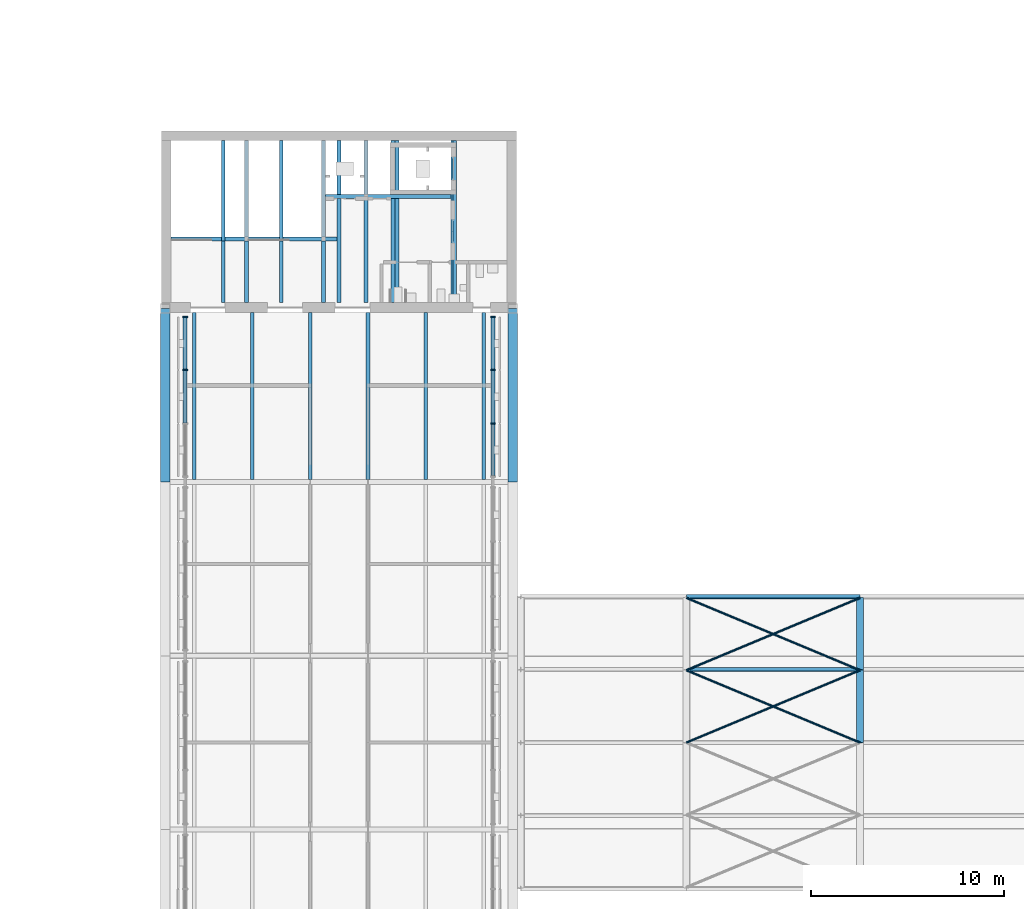
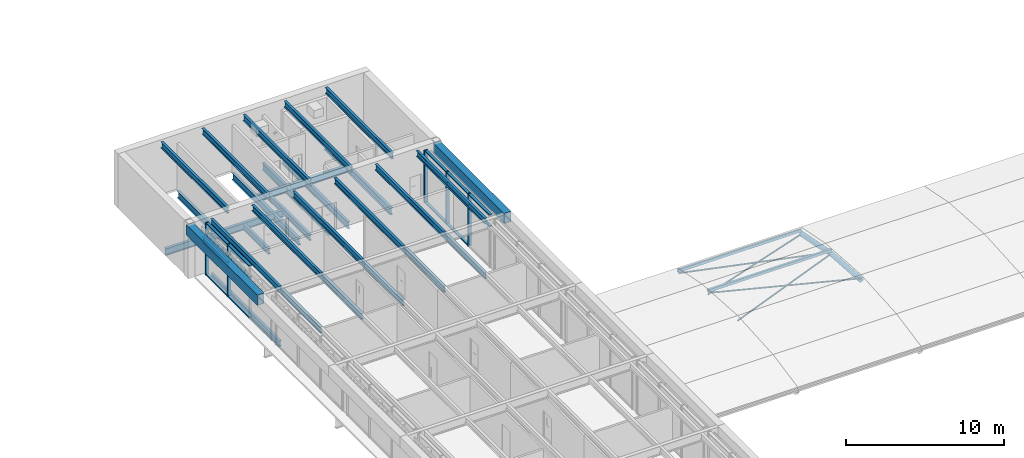
# One storey, part 7 of 43: 31 beams, 29 members, 2 elements without a shape of their own.
"""IFC4 building model written with IfcOpenShell, lengths in metres."""

from ifc_helpers import new_model, si_unit, direction, frame, origin, origin_2d, place, context, subcontext, project, spatial, rectangle, hollow_rectangle, hollow_circle, i_section, extrude, material, material_profile, profile_set, type_object, element, aggregate, save


model = new_model("IFC4")

# Units and contexts
model_context = context("Model", 3, precision=1e-05, world=origin(), true_north=direction((0.0, 1.0)))
body_context = subcontext(model_context, "Body", "Model", "MODEL_VIEW")
ifc_project = project(units=[si_unit("LENGTHUNIT", "METRE"), si_unit("AREAUNIT", "SQUARE_METRE"), si_unit("VOLUMEUNIT", "CUBIC_METRE"), si_unit("PLANEANGLEUNIT", "RADIAN"), si_unit("MASSUNIT", "GRAM", prefix="KILO")], contexts=[model_context])

# Site, building, storey
site_placement = place(None, origin())
site = spatial("IfcSite", under=ifc_project, at=site_placement, CompositionType="ELEMENT")
building_placement = place(site_placement, origin())
building = spatial("IfcBuilding", under=site, at=building_placement, Name="Baradari Gate Terminus", CompositionType="ELEMENT")
storey_placement = place(building_placement, frame((0.0, 0.0, 20.10009765625)))
storey = spatial("IfcBuildingStorey", under=building, at=storey_placement, Name="L04", CompositionType="ELEMENT", Elevation=20.10009765625)

# Beams
ifc_material_1 = material(Name="Steel S355", Category="steel")
ifc_material_profile_1 = material_profile(ifc_material_1, i_section(OverallWidth=0.19140625, OverallDepth=0.4599609375, WebThickness=0.010009765625, FlangeThickness=0.01611328125, FilletRadius=0.01025390625, at=origin_2d()), Name="UB 457x191x82")
ifc_profile_set_1 = profile_set([ifc_material_profile_1], Name="Steel S355")
beam_type_1 = type_object("IfcBeamType", Name="Core floor beam B66 UB 457x191x82", PredefinedType="BEAM", material=ifc_profile_set_1)
for number, where, z_axis, x_axis, name in (
    (1, (75.0, 81.300048828125, -0.380126953125), (0.0, 1.0, 0.0), (-1.0, 0.0, 0.0), "Core floor beam B66 75:81.3-84.495 L04"),
    (2, (78.0, 81.300048828125, -0.380126953125), (0.0, 1.0, 0.0), (-1.0, 0.0, 0.0), "Core floor beam B66 78:81.3-84.495 L04"),
):
    element("IfcBeam", number, at=place(storey_placement, frame(where, z_axis=z_axis, x_axis=x_axis)), inside=storey, type_object=beam_type_1, Name=name, PredefinedType="BEAM", context=body_context, shape_type="SweptSolid", body=[
        extrude(i_section(OverallWidth=0.19140625, OverallDepth=0.4599609375, WebThickness=0.010009765625, FlangeThickness=0.01611328125, FilletRadius=0.01025390625, at=origin_2d()), origin(), (0.0, 0.0, 1.0), 3.1953125),
    ])
beam_1_placement = place(storey_placement, frame((81.0, 81.300048828125, -0.380126953125), z_axis=(0.0, 1.0, 0.0), x_axis=(-1.0, 0.0, 0.0)))
element("IfcBeam", 3, at=beam_1_placement, inside=storey, type_object=beam_type_1, Name="Core floor beam B66 10:81.3-86.695 L04", PredefinedType="BEAM", context=body_context, shape_type="SweptSolid", body=[
    extrude(i_section(OverallWidth=0.19140625, OverallDepth=0.4599609375, WebThickness=0.010009765625, FlangeThickness=0.01611328125, FilletRadius=0.01025390625, at=origin_2d()), origin(), (0.0, 0.0, 1.0), 5.395263671875),
])
for number, where, z_axis, x_axis, name in (
    (4, (75.0, 81.300048828125, 3.81982421875), (0.0, 1.0, 0.0), (-1.0, 0.0, 0.0), "Core floor beam B66 75:81.3-89.7 L04"),
    (5, (78.0, 81.300048828125, 3.81982421875), (0.0, 1.0, 0.0), (-1.0, 0.0, 0.0), "Core floor beam B66 78:81.3-89.7 L04"),
    (6, (81.0, 81.300048828125, 3.81982421875), (0.0, 1.0, 0.0), (-1.0, 0.0, 0.0), "Core floor beam B66 10:81.3-89.7 L04"),
    (7, (84.0, 81.300048828125, 3.81982421875), (0.0, 1.0, 0.0), (-1.0, 0.0, 0.0), "Core floor beam B66 84:81.3-89.7 L04"),
    (8, (87.0, 81.300048828125, 3.81982421875), (0.0, 1.0, 0.0), (-1.0, 0.0, 0.0), "Core floor beam B66 87:81.3-89.7 L04"),
):
    element("IfcBeam", number, at=place(storey_placement, frame(where, z_axis=z_axis, x_axis=x_axis)), inside=storey, type_object=beam_type_1, Name=name, PredefinedType="BEAM", context=body_context, shape_type="SweptSolid", body=[
        extrude(i_section(OverallWidth=0.19140625, OverallDepth=0.4599609375, WebThickness=0.010009765625, FlangeThickness=0.01611328125, FilletRadius=0.01025390625, at=origin_2d()), origin(), (0.0, 0.0, 1.0), 8.39990234375),
    ])
ifc_material_2 = material(Name="Steel S355", Category="steel")
ifc_material_profile_2 = material_profile(ifc_material_2, i_section(OverallWidth=0.209228515625, OverallDepth=0.533203125, WebThickness=0.010009765625, FlangeThickness=0.015625, FilletRadius=0.0126953125, at=origin_2d()), Name="UB 533x210x92")
ifc_profile_set_2 = profile_set([ifc_material_profile_2], Name="Steel S355")
beam_type_2 = type_object("IfcBeamType", Name="Core floor trimmer beam B65 UB 533x210x92", PredefinedType="BEAM", material=ifc_profile_set_2)
beam_2_placement = place(storey_placement, frame((72.300048828125, 84.60009765625, -0.416748046875), z_axis=(1.0, 0.0, 0.0), x_axis=(0.0, 1.0, 0.0)))
element("IfcBeam", 9, at=beam_2_placement, inside=storey, type_object=beam_type_2, Name="Core floor trimmer beam B65 84.6:72.3-80.904 L04", PredefinedType="BEAM", context=body_context, shape_type="SweptSolid", body=[
    extrude(i_section(OverallWidth=0.209228515625, OverallDepth=0.533203125, WebThickness=0.010009765625, FlangeThickness=0.015625, FilletRadius=0.0126953125, at=origin_2d()), origin(), (0.0, 0.0, 1.0), 8.604248046875),
])
beam_3_placement = place(storey_placement, frame((80.3046875, 86.800048828125, -0.416748046875), z_axis=(1.0, 0.0, 0.0), x_axis=(0.0, 1.0, 0.0)))
element("IfcBeam", 10, at=beam_3_placement, inside=storey, type_object=beam_type_2, Name="Core floor trimmer beam B65 86.8:80.305-86.8 L04", PredefinedType="BEAM", context=body_context, shape_type="SweptSolid", body=[
    extrude(i_section(OverallWidth=0.209228515625, OverallDepth=0.533203125, WebThickness=0.010009765625, FlangeThickness=0.015625, FilletRadius=0.0126953125, at=origin_2d()), origin(), (0.0, 0.0, 1.0), 6.49560546875),
])
beam_4_placement = place(storey_placement, frame((86.905029296875, 81.300048828125, -0.416748046875), z_axis=(0.0, 1.0, 0.0), x_axis=(-1.0, 0.0, 0.0)))
element("IfcBeam", 11, at=beam_4_placement, inside=storey, type_object=beam_type_2, Name="Core floor trimmer beam B65 86.905:81.3-89.7 L04", PredefinedType="BEAM", context=body_context, shape_type="SweptSolid", body=[
    extrude(i_section(OverallWidth=0.209228515625, OverallDepth=0.533203125, WebThickness=0.010009765625, FlangeThickness=0.015625, FilletRadius=0.0126953125, at=origin_2d()), origin(), (0.0, 0.0, 1.0), 8.39990234375),
])
beam_5_placement = place(storey_placement, frame((76.199951171875, 81.300048828125, -0.416748046875), z_axis=(0.0, 1.0, 0.0), x_axis=(-1.0, 0.0, 0.0)))
element("IfcBeam", 12, at=beam_5_placement, inside=storey, type_object=beam_type_2, Name="Core floor trimmer beam B65 76.2:81.3-84.495 L04", PredefinedType="BEAM", context=body_context, shape_type="SweptSolid", body=[
    extrude(i_section(OverallWidth=0.209228515625, OverallDepth=0.533203125, WebThickness=0.010009765625, FlangeThickness=0.015625, FilletRadius=0.0126953125, at=origin_2d()), origin(), (0.0, 0.0, 1.0), 3.1953125),
])
beam_6_placement = place(storey_placement, frame((76.199951171875, 84.70458984375, -0.416748046875), z_axis=(0.0, 1.0, 0.0), x_axis=(-1.0, 0.0, 0.0)))
element("IfcBeam", 13, at=beam_6_placement, inside=storey, type_object=beam_type_2, Name="Core floor trimmer beam B65 76.2:84.705-89.7 L04", PredefinedType="BEAM", context=body_context, shape_type="SweptSolid", body=[
    extrude(i_section(OverallWidth=0.209228515625, OverallDepth=0.533203125, WebThickness=0.010009765625, FlangeThickness=0.015625, FilletRadius=0.0126953125, at=origin_2d()), origin(), (0.0, 0.0, 1.0), 4.995361328125),
])
beam_7_placement = place(storey_placement, frame((80.199951171875, 81.300048828125, -0.416748046875), z_axis=(0.0, 1.0, 0.0), x_axis=(-1.0, 0.0, 0.0)))
element("IfcBeam", 14, at=beam_7_placement, inside=storey, type_object=beam_type_2, Name="Core floor trimmer beam B65 80.2:81.3-84.495 L04", PredefinedType="BEAM", context=body_context, shape_type="SweptSolid", body=[
    extrude(i_section(OverallWidth=0.209228515625, OverallDepth=0.533203125, WebThickness=0.010009765625, FlangeThickness=0.015625, FilletRadius=0.0126953125, at=origin_2d()), origin(), (0.0, 0.0, 1.0), 3.1953125),
])
beam_8_placement = place(storey_placement, frame((80.199951171875, 84.70458984375, -0.416748046875), z_axis=(0.0, 1.0, 0.0), x_axis=(-1.0, 0.0, 0.0)))
element("IfcBeam", 15, at=beam_8_placement, inside=storey, type_object=beam_type_2, Name="Core floor trimmer beam B65 80.2:84.705-89.7 L04", PredefinedType="BEAM", context=body_context, shape_type="SweptSolid", body=[
    extrude(i_section(OverallWidth=0.209228515625, OverallDepth=0.533203125, WebThickness=0.010009765625, FlangeThickness=0.015625, FilletRadius=0.0126953125, at=origin_2d()), origin(), (0.0, 0.0, 1.0), 4.995361328125),
])
beam_9_placement = place(storey_placement, frame((82.39990234375, 81.300048828125, -0.416748046875), z_axis=(0.0, 1.0, 0.0), x_axis=(-1.0, 0.0, 0.0)))
element("IfcBeam", 16, at=beam_9_placement, inside=storey, type_object=beam_type_2, Name="Core floor trimmer beam B65 82.4:81.3-86.695 L04", PredefinedType="BEAM", context=body_context, shape_type="SweptSolid", body=[
    extrude(i_section(OverallWidth=0.209228515625, OverallDepth=0.533203125, WebThickness=0.010009765625, FlangeThickness=0.015625, FilletRadius=0.0126953125, at=origin_2d()), origin(), (0.0, 0.0, 1.0), 5.395263671875),
])
beam_10_placement = place(storey_placement, frame((82.39990234375, 86.90478515625, -0.416748046875), z_axis=(0.0, 1.0, 0.0), x_axis=(-1.0, 0.0, 0.0)))
element("IfcBeam", 17, at=beam_10_placement, inside=storey, type_object=beam_type_2, Name="Core floor trimmer beam B65 82.4:86.905-89.7 L04", PredefinedType="BEAM", context=body_context, shape_type="SweptSolid", body=[
    extrude(i_section(OverallWidth=0.209228515625, OverallDepth=0.533203125, WebThickness=0.010009765625, FlangeThickness=0.015625, FilletRadius=0.0126953125, at=origin_2d()), origin(), (0.0, 0.0, 1.0), 2.795166015625),
])
beam_11_placement = place(storey_placement, frame((83.800048828125, 81.300048828125, -0.416748046875), z_axis=(0.0, 1.0, 0.0), x_axis=(-1.0, 0.0, 0.0)))
element("IfcBeam", 18, at=beam_11_placement, inside=storey, type_object=beam_type_2, Name="Core floor trimmer beam B65 83.8:81.3-86.695 L04", PredefinedType="BEAM", context=body_context, shape_type="SweptSolid", body=[
    extrude(i_section(OverallWidth=0.209228515625, OverallDepth=0.533203125, WebThickness=0.010009765625, FlangeThickness=0.015625, FilletRadius=0.0126953125, at=origin_2d()), origin(), (0.0, 0.0, 1.0), 5.395263671875),
])
beam_12_placement = place(storey_placement, frame((83.800048828125, 86.90478515625, -0.416748046875), z_axis=(0.0, 1.0, 0.0), x_axis=(-1.0, 0.0, 0.0)))
element("IfcBeam", 19, at=beam_12_placement, inside=storey, type_object=beam_type_2, Name="Core floor trimmer beam B65 83.8:86.905-89.7 L04", PredefinedType="BEAM", context=body_context, shape_type="SweptSolid", body=[
    extrude(i_section(OverallWidth=0.209228515625, OverallDepth=0.533203125, WebThickness=0.010009765625, FlangeThickness=0.015625, FilletRadius=0.0126953125, at=origin_2d()), origin(), (0.0, 0.0, 1.0), 2.795166015625),
])

# Curtain wall, members
ifc_material_3 = material(Name="Aluminium 6063-T6", Category="aluminium")
curtain_wall_type = type_object("IfcCurtainWallType", Name="Curtain wall CW-3 gate face, office floors", PredefinedType="NOTDEFINED", material=ifc_material_3)
curtain_wall_1_placement = place(storey_placement, origin())
curtain_wall_1 = element("IfcCurtainWall", 20, at=curtain_wall_1_placement, inside=storey, type_object=curtain_wall_type, Name="Curtain wall CW-3 gate west face L04 bay 5", PredefinedType="NOTDEFINED")
ifc_material_4 = material(Name="Aluminium 6063-T6", Category="aluminium")
ifc_material_profile_3 = material_profile(ifc_material_4, rectangle(XDim=0.25, YDim=0.080078125, at=origin_2d()), Name="CM-3 80X250")
ifc_profile_set_3 = profile_set([ifc_material_profile_3], Name="Aluminium 6063-T6")
member_type_1 = type_object("IfcMemberType", Name="Curtain wall mullion CM-3 80x250", PredefinedType="MULLION", material=ifc_profile_set_3)
member_1_placement = place(storey_placement, frame((73.02490234375, 77.816650390625, 0.0), z_axis=(0.0, 0.0, 1.0), x_axis=(-1.0, 0.0, 0.0)))
member_1 = element("IfcMember", 21, at=member_1_placement, type_object=member_type_1, Name="CW-3 mullion 3", PredefinedType="MULLION", context=body_context, shape_type="SweptSolid", body=[
    extrude(rectangle(XDim=0.25, YDim=0.080078125, at=origin_2d()), origin(), (0.0, 0.0, 1.0), 4.0498046875),
])
member_2_placement = place(storey_placement, frame((73.02490234375, 80.56005859375, 0.0), z_axis=(0.0, 0.0, 1.0), x_axis=(-1.0, 0.0, 0.0)))
member_2 = element("IfcMember", 22, at=member_2_placement, type_object=member_type_1, Name="CW-3 mullion 4", PredefinedType="MULLION", context=body_context, shape_type="SweptSolid", body=[
    extrude(rectangle(XDim=0.25, YDim=0.080078125, at=origin_2d()), origin(), (0.0, 0.0, 1.0), 4.0498046875),
])

curtain_wall_2_placement = place(storey_placement, origin())
curtain_wall_2 = element("IfcCurtainWall", 23, at=curtain_wall_2_placement, inside=storey, type_object=curtain_wall_type, Name="Curtain wall CW-3 gate east face L04 bay 5", PredefinedType="NOTDEFINED")
member_3_placement = place(storey_placement, frame((88.97509765625, 75.033447265625, 0.0), z_axis=(0.0, 0.0, 1.0), x_axis=(-1.0, 0.0, 0.0)))
member_3 = element("IfcMember", 24, at=member_3_placement, type_object=member_type_1, Name="CW-3 mullion 2", PredefinedType="MULLION", context=body_context, shape_type="SweptSolid", body=[
    extrude(rectangle(XDim=0.25, YDim=0.080078125, at=origin_2d()), origin(), (0.0, 0.0, 1.0), 4.0498046875),
])
member_4_placement = place(storey_placement, frame((88.97509765625, 77.816650390625, 0.0), z_axis=(0.0, 0.0, 1.0), x_axis=(-1.0, 0.0, 0.0)))
member_4 = element("IfcMember", 25, at=member_4_placement, type_object=member_type_1, Name="CW-3 mullion 3", PredefinedType="MULLION", context=body_context, shape_type="SweptSolid", body=[
    extrude(rectangle(XDim=0.25, YDim=0.080078125, at=origin_2d()), origin(), (0.0, 0.0, 1.0), 4.0498046875),
])
member_5_placement = place(storey_placement, frame((88.97509765625, 80.56005859375, 0.0), z_axis=(0.0, 0.0, 1.0), x_axis=(-1.0, 0.0, 0.0)))
member_5 = element("IfcMember", 26, at=member_5_placement, type_object=member_type_1, Name="CW-3 mullion 4", PredefinedType="MULLION", context=body_context, shape_type="SweptSolid", body=[
    extrude(rectangle(XDim=0.25, YDim=0.080078125, at=origin_2d()), origin(), (0.0, 0.0, 1.0), 4.0498046875),
])

# Member
ifc_material_5 = material(Name="Aluminium 6063-T6", Category="aluminium")
ifc_material_profile_4 = material_profile(ifc_material_5, rectangle(XDim=0.199951171875, YDim=0.080078125, at=origin_2d()), Name="CT-3 80X200")
ifc_profile_set_4 = profile_set([ifc_material_profile_4], Name="Aluminium 6063-T6")
member_type_2 = type_object("IfcMemberType", Name="Curtain wall transom CT-3 80x200", PredefinedType="USERDEFINED", material=ifc_profile_set_4)
member_6_placement = place(storey_placement, frame((73.02490234375, 75.0732421875, 0.039794921875), z_axis=(0.0, 1.0, 0.0), x_axis=(-1.0, 0.0, 0.0)))
member_6 = element("IfcMember", 27, at=member_6_placement, type_object=member_type_2, Name="CW-3 transom 2.1", ObjectType="TRANSOM", PredefinedType="USERDEFINED", context=body_context, shape_type="SweptSolid", body=[
    extrude(rectangle(XDim=0.199951171875, YDim=0.080078125, at=origin_2d()), origin(), (0.0, 0.0, 1.0), 2.703369140625),
])

member_7_placement = place(storey_placement, frame((73.02490234375, 75.0732421875, 3.14990234375), z_axis=(0.0, 1.0, 0.0), x_axis=(-1.0, 0.0, 0.0)))
member_7 = element("IfcMember", 28, at=member_7_placement, type_object=member_type_2, Name="CW-3 transom 2.2", ObjectType="TRANSOM", PredefinedType="USERDEFINED", context=body_context, shape_type="SweptSolid", body=[
    extrude(rectangle(XDim=0.199951171875, YDim=0.080078125, at=origin_2d()), origin(), (0.0, 0.0, 1.0), 2.703369140625),
])

member_8_placement = place(storey_placement, frame((73.02490234375, 75.0732421875, 4.010009765625), z_axis=(0.0, 1.0, 0.0), x_axis=(-1.0, 0.0, 0.0)))
member_8 = element("IfcMember", 29, at=member_8_placement, type_object=member_type_2, Name="CW-3 transom 2.3", ObjectType="TRANSOM", PredefinedType="USERDEFINED", context=body_context, shape_type="SweptSolid", body=[
    extrude(rectangle(XDim=0.199951171875, YDim=0.080078125, at=origin_2d()), origin(), (0.0, 0.0, 1.0), 2.703369140625),
])

member_9_placement = place(storey_placement, frame((73.02490234375, 77.856689453125, 0.039794921875), z_axis=(0.0, 1.0, 0.0), x_axis=(-1.0, 0.0, 0.0)))
member_9 = element("IfcMember", 30, at=member_9_placement, type_object=member_type_2, Name="CW-3 transom 3.1", ObjectType="TRANSOM", PredefinedType="USERDEFINED", context=body_context, shape_type="SweptSolid", body=[
    extrude(rectangle(XDim=0.199951171875, YDim=0.080078125, at=origin_2d()), origin(), (0.0, 0.0, 1.0), 2.663330078125),
])

member_10_placement = place(storey_placement, frame((73.02490234375, 77.856689453125, 3.14990234375), z_axis=(0.0, 1.0, 0.0), x_axis=(-1.0, 0.0, 0.0)))
member_10 = element("IfcMember", 31, at=member_10_placement, type_object=member_type_2, Name="CW-3 transom 3.2", ObjectType="TRANSOM", PredefinedType="USERDEFINED", context=body_context, shape_type="SweptSolid", body=[
    extrude(rectangle(XDim=0.199951171875, YDim=0.080078125, at=origin_2d()), origin(), (0.0, 0.0, 1.0), 2.663330078125),
])

member_11_placement = place(storey_placement, frame((73.02490234375, 77.856689453125, 4.010009765625), z_axis=(0.0, 1.0, 0.0), x_axis=(-1.0, 0.0, 0.0)))
member_11 = element("IfcMember", 32, at=member_11_placement, type_object=member_type_2, Name="CW-3 transom 3.3", ObjectType="TRANSOM", PredefinedType="USERDEFINED", context=body_context, shape_type="SweptSolid", body=[
    extrude(rectangle(XDim=0.199951171875, YDim=0.080078125, at=origin_2d()), origin(), (0.0, 0.0, 1.0), 2.663330078125),
])

aggregate(curtain_wall_1, [member_1, member_2, member_6, member_7, member_8, member_9, member_10, member_11])

member_12_placement = place(storey_placement, frame((88.97509765625, 72.330078125, 3.14990234375), z_axis=(0.0, 1.0, 0.0), x_axis=(-1.0, 0.0, 0.0)))
member_12 = element("IfcMember", 33, at=member_12_placement, type_object=member_type_2, Name="CW-3 transom 1.2", ObjectType="TRANSOM", PredefinedType="USERDEFINED", context=body_context, shape_type="SweptSolid", body=[
    extrude(rectangle(XDim=0.199951171875, YDim=0.080078125, at=origin_2d()), origin(), (0.0, 0.0, 1.0), 2.663330078125),
])

member_13_placement = place(storey_placement, frame((88.97509765625, 72.330078125, 4.010009765625), z_axis=(0.0, 1.0, 0.0), x_axis=(-1.0, 0.0, 0.0)))
member_13 = element("IfcMember", 34, at=member_13_placement, type_object=member_type_2, Name="CW-3 transom 1.3", ObjectType="TRANSOM", PredefinedType="USERDEFINED", context=body_context, shape_type="SweptSolid", body=[
    extrude(rectangle(XDim=0.199951171875, YDim=0.080078125, at=origin_2d()), origin(), (0.0, 0.0, 1.0), 2.663330078125),
])

member_14_placement = place(storey_placement, frame((88.97509765625, 75.0732421875, 0.039794921875), z_axis=(0.0, 1.0, 0.0), x_axis=(-1.0, 0.0, 0.0)))
member_14 = element("IfcMember", 35, at=member_14_placement, type_object=member_type_2, Name="CW-3 transom 2.1", ObjectType="TRANSOM", PredefinedType="USERDEFINED", context=body_context, shape_type="SweptSolid", body=[
    extrude(rectangle(XDim=0.199951171875, YDim=0.080078125, at=origin_2d()), origin(), (0.0, 0.0, 1.0), 2.703369140625),
])

member_15_placement = place(storey_placement, frame((88.97509765625, 75.0732421875, 3.14990234375), z_axis=(0.0, 1.0, 0.0), x_axis=(-1.0, 0.0, 0.0)))
member_15 = element("IfcMember", 36, at=member_15_placement, type_object=member_type_2, Name="CW-3 transom 2.2", ObjectType="TRANSOM", PredefinedType="USERDEFINED", context=body_context, shape_type="SweptSolid", body=[
    extrude(rectangle(XDim=0.199951171875, YDim=0.080078125, at=origin_2d()), origin(), (0.0, 0.0, 1.0), 2.703369140625),
])

member_16_placement = place(storey_placement, frame((88.97509765625, 75.0732421875, 4.010009765625), z_axis=(0.0, 1.0, 0.0), x_axis=(-1.0, 0.0, 0.0)))
member_16 = element("IfcMember", 37, at=member_16_placement, type_object=member_type_2, Name="CW-3 transom 2.3", ObjectType="TRANSOM", PredefinedType="USERDEFINED", context=body_context, shape_type="SweptSolid", body=[
    extrude(rectangle(XDim=0.199951171875, YDim=0.080078125, at=origin_2d()), origin(), (0.0, 0.0, 1.0), 2.703369140625),
])

member_17_placement = place(storey_placement, frame((88.97509765625, 77.856689453125, 0.039794921875), z_axis=(0.0, 1.0, 0.0), x_axis=(-1.0, 0.0, 0.0)))
member_17 = element("IfcMember", 38, at=member_17_placement, type_object=member_type_2, Name="CW-3 transom 3.1", ObjectType="TRANSOM", PredefinedType="USERDEFINED", context=body_context, shape_type="SweptSolid", body=[
    extrude(rectangle(XDim=0.199951171875, YDim=0.080078125, at=origin_2d()), origin(), (0.0, 0.0, 1.0), 2.663330078125),
])

member_18_placement = place(storey_placement, frame((88.97509765625, 77.856689453125, 3.14990234375), z_axis=(0.0, 1.0, 0.0), x_axis=(-1.0, 0.0, 0.0)))
member_18 = element("IfcMember", 39, at=member_18_placement, type_object=member_type_2, Name="CW-3 transom 3.2", ObjectType="TRANSOM", PredefinedType="USERDEFINED", context=body_context, shape_type="SweptSolid", body=[
    extrude(rectangle(XDim=0.199951171875, YDim=0.080078125, at=origin_2d()), origin(), (0.0, 0.0, 1.0), 2.663330078125),
])

member_19_placement = place(storey_placement, frame((88.97509765625, 77.856689453125, 4.010009765625), z_axis=(0.0, 1.0, 0.0), x_axis=(-1.0, 0.0, 0.0)))
member_19 = element("IfcMember", 40, at=member_19_placement, type_object=member_type_2, Name="CW-3 transom 3.3", ObjectType="TRANSOM", PredefinedType="USERDEFINED", context=body_context, shape_type="SweptSolid", body=[
    extrude(rectangle(XDim=0.199951171875, YDim=0.080078125, at=origin_2d()), origin(), (0.0, 0.0, 1.0), 2.663330078125),
])

aggregate(curtain_wall_2, [member_3, member_4, member_5, member_12, member_13, member_14, member_15, member_16, member_17, member_18, member_19])

# Beams
ifc_material_6 = material(Name="Steel S355", Category="steel")
ifc_material_profile_5 = material_profile(ifc_material_6, i_section(OverallWidth=0.18994140625, OverallDepth=0.453369140625, WebThickness=0.008544921875, FlangeThickness=0.0126953125, FilletRadius=0.01025390625, at=origin_2d()), Name="UB 457x191x67")
ifc_profile_set_5 = profile_set([ifc_material_profile_5], Name="Steel S355")
beam_type_3 = type_object("IfcBeamType", Name="Gate roof secondary beam B57 UB 457x191x67", PredefinedType="BEAM", material=ifc_profile_set_5)
for number, where, z_axis, x_axis, name in (
    (41, (73.5, 72.127197265625, 3.8232421875), (0.0, 1.0, 0.0), (-1.0, 0.0, 0.0), "Gate roof secondary beam B57 73.5:72.127-80.8 L04"),
    (42, (76.5, 72.127197265625, 3.8232421875), (0.0, 1.0, 0.0), (-1.0, 0.0, 0.0), "Gate roof secondary beam B57 76.5:72.127-80.8 L04"),
    (43, (79.5, 72.127197265625, 3.8232421875), (0.0, 1.0, 0.0), (-1.0, 0.0, 0.0), "Gate roof secondary beam B57 79.5:72.127-80.8 L04"),
    (44, (82.5, 72.127197265625, 3.8232421875), (0.0, 1.0, 0.0), (-1.0, 0.0, 0.0), "Gate roof secondary beam B57 82.5:72.127-80.8 L04"),
    (45, (85.5, 72.127197265625, 3.8232421875), (0.0, 1.0, 0.0), (-1.0, 0.0, 0.0), "Gate roof secondary beam B57 85.5:72.127-80.8 L04"),
    (46, (88.5, 72.127197265625, 3.8232421875), (0.0, 1.0, 0.0), (-1.0, 0.0, 0.0), "Gate roof secondary beam B57 88.5:72.127-80.8 L04"),
):
    element("IfcBeam", number, at=place(storey_placement, frame(where, z_axis=z_axis, x_axis=x_axis)), inside=storey, type_object=beam_type_3, Name=name, PredefinedType="BEAM", context=body_context, shape_type="SweptSolid", body=[
        extrude(i_section(OverallWidth=0.18994140625, OverallDepth=0.453369140625, WebThickness=0.008544921875, FlangeThickness=0.0126953125, FilletRadius=0.01025390625, at=origin_2d()), origin(), (0.0, 0.0, 1.0), 8.6728515625),
    ])
ifc_material_7 = material(Name="Steel S355", Category="steel")
ifc_material_profile_6 = material_profile(ifc_material_7, i_section(OverallWidth=0.19140625, OverallDepth=0.4599609375, WebThickness=0.010009765625, FlangeThickness=0.01611328125, FilletRadius=0.01025390625, at=origin_2d()), Name="UB 457x191x82")
ifc_profile_set_6 = profile_set([ifc_material_profile_6], Name="Steel S355")
beam_type_4 = type_object("IfcBeamType", Name="Gate secondary beam B31 UB 457x191x82", PredefinedType="BEAM", material=ifc_profile_set_6)
for number, where, z_axis, x_axis, name in (
    (47, (73.5, 72.13330078125, -0.380126953125), (0.0, 1.0, 0.0), (-1.0, 0.0, 0.0), "Gate secondary beam B31 73.5:72.133-80.8 L04"),
    (48, (76.5, 72.13330078125, -0.380126953125), (0.0, 1.0, 0.0), (-1.0, 0.0, 0.0), "Gate secondary beam B31 76.5:72.133-80.8 L04"),
    (49, (79.5, 72.13330078125, -0.380126953125), (0.0, 1.0, 0.0), (-1.0, 0.0, 0.0), "Gate secondary beam B31 79.5:72.133-80.8 L04"),
    (50, (82.5, 72.13330078125, -0.380126953125), (0.0, 1.0, 0.0), (-1.0, 0.0, 0.0), "Gate secondary beam B31 82.5:72.133-80.8 L04"),
    (51, (85.5, 72.13330078125, -0.380126953125), (0.0, 1.0, 0.0), (-1.0, 0.0, 0.0), "Gate secondary beam B31 85.5:72.133-80.8 L04"),
    (52, (88.5, 72.13330078125, -0.380126953125), (0.0, 1.0, 0.0), (-1.0, 0.0, 0.0), "Gate secondary beam B31 88.5:72.133-80.8 L04"),
):
    element("IfcBeam", number, at=place(storey_placement, frame(where, z_axis=z_axis, x_axis=x_axis)), inside=storey, type_object=beam_type_4, Name=name, PredefinedType="BEAM", context=body_context, shape_type="SweptSolid", body=[
        extrude(i_section(OverallWidth=0.19140625, OverallDepth=0.4599609375, WebThickness=0.010009765625, FlangeThickness=0.01611328125, FilletRadius=0.01025390625, at=origin_2d()), origin(), (0.0, 0.0, 1.0), 8.666748046875),
    ])

# Members
ifc_material_8 = material(Name="Steel S355", Category="steel")
ifc_material_profile_7 = material_profile(ifc_material_8, hollow_rectangle(XDim=0.199951171875, YDim=0.199951171875, WallThickness=0.008056640625, InnerFilletRadius=0.008056640625, OuterFilletRadius=0.01611328125, at=origin_2d()), Name="SHS 200x200x8")
ifc_profile_set_7 = profile_set([ifc_material_profile_7], Name="Steel S355")
member_type_3 = type_object("IfcMemberType", Name="Shed purlin SHS 200x200x8", PredefinedType="PURLIN", material=ifc_profile_set_7)
for number, where, z_axis, x_axis, name in (
    (53, (99.0, 62.284912109375, 0.75), (1.0, 0.0, 0.0), (0.0, 0.99130302961, -0.131599025396), "TR/L04/B108-PU07"),
    (54, (99.0, 66.068115234375, -0.006591796875), (1.0, 0.0, 0.0), (0.0, 0.966499648767, -0.256667935149), "TR/L04/B108-PU08"),
):
    element("IfcMember", number, at=place(storey_placement, frame(where, z_axis=z_axis, x_axis=x_axis)), inside=storey, type_object=member_type_3, Name=name, PredefinedType="PURLIN", context=body_context, shape_type="SweptSolid", body=[
        extrude(hollow_rectangle(XDim=0.199951171875, YDim=0.199951171875, WallThickness=0.008056640625, InnerFilletRadius=0.008056640625, OuterFilletRadius=0.01611328125, at=origin_2d()), origin(), (0.0, 0.0, 1.0), 9.0),
    ])
ifc_material_9 = material(Name="Steel S355", Category="steel")
ifc_material_profile_8 = material_profile(ifc_material_9, hollow_circle(Radius=0.05712890625, WallThickness=0.00634765625, at=origin_2d()), Name="CHS 114.3x6.3")
ifc_profile_set_8 = profile_set([ifc_material_profile_8], Name="Steel S355")
member_type_4 = type_object("IfcMemberType", Name="Shed roof brace CHS 114.3x6.3", PredefinedType="BRACE", material=ifc_profile_set_8)
for number, where, z_axis, x_axis, name in (
    (55, (99.0, 58.5, 0.736328125), (0.922773628532, 0.384489011888, -0.025632600793), (-0.384615384615, 0.923076923077, 0.0), "TR/L04/B108-RB06A"),
    (56, (108.0, 58.5, 0.8505859375), (-0.922773628532, 0.384489011888, -0.025632600793), (-0.384615384615, -0.923076923077, 0.0), "TR/L04/B108-RB06B"),
):
    element("IfcMember", number, at=place(storey_placement, frame(where, z_axis=z_axis, x_axis=x_axis)), inside=storey, type_object=member_type_4, Name=name, PredefinedType="BRACE", context=body_context, shape_type="SweptSolid", body=[
        extrude(hollow_circle(Radius=0.05712890625, WallThickness=0.00634765625, at=origin_2d()), origin(), (0.0, 0.0, 1.0), 9.753173828125),
    ])
for number, where, z_axis, x_axis, name in (
    (57, (99.0, 62.25, 0.486328125), (0.920357986617, 0.383482494424, -0.076696498885), (-0.384615384615, 0.923076923077, 0.0), "TR/L04/B108-RB07A"),
    (58, (108.0, 62.25, 0.6005859375), (-0.920357986617, 0.383482494424, -0.076696498885), (-0.384615384615, -0.923076923077, 0.0), "TR/L04/B108-RB07B"),
):
    element("IfcMember", number, at=place(storey_placement, frame(where, z_axis=z_axis, x_axis=x_axis)), inside=storey, type_object=member_type_4, Name=name, PredefinedType="BRACE", context=body_context, shape_type="SweptSolid", body=[
        extrude(hollow_circle(Radius=0.05712890625, WallThickness=0.00634765625, at=origin_2d()), origin(), (0.0, 0.0, 1.0), 9.77880859375),
    ])
ifc_material_10 = material(Name="Steel S355", Category="steel")
ifc_material_profile_9 = material_profile(ifc_material_10, hollow_circle(Radius=0.177734375, WallThickness=0.01611328125, at=origin_2d()), Name="CHS 355.6x16")
ifc_profile_set_9 = profile_set([ifc_material_profile_9], Name="Steel S355")
member_type_5 = type_object("IfcMemberType", Name="Shed top chord CHS 355.6x16", PredefinedType="CHORD", material=ifc_profile_set_9)
member_20_placement = place(storey_placement, frame((108.0, 58.5, 0.736328125), z_axis=(0.0, 0.997785157857, -0.066519010524), x_axis=(-1.0, 0.0, 0.0)))
element("IfcMember", 59, at=member_20_placement, inside=storey, type_object=member_type_5, Name="TR/L04/S108-TC06", PredefinedType="CHORD", context=body_context, shape_type="SweptSolid", body=[
    extrude(hollow_circle(Radius=0.177734375, WallThickness=0.01611328125, at=origin_2d()), origin(), (0.0, 0.0, 1.0), 3.75830078125),
])
member_21_placement = place(storey_placement, frame((108.0, 62.25, 0.486328125), z_axis=(0.0, 0.980580675691, -0.196116135138), x_axis=(-1.0, 0.0, 0.0)))
element("IfcMember", 60, at=member_21_placement, inside=storey, type_object=member_type_5, Name="TR/L04/S108-TC07", PredefinedType="CHORD", context=body_context, shape_type="SweptSolid", body=[
    extrude(hollow_circle(Radius=0.177734375, WallThickness=0.01611328125, at=origin_2d()), origin(), (0.0, 0.0, 1.0), 3.82421875),
])
ifc_material_11 = material(Name="Steel S355", Category="steel")
ifc_material_profile_10 = material_profile(ifc_material_11, hollow_rectangle(XDim=0.5, YDim=0.800048828125, WallThickness=0.031982421875, at=origin_2d()), Name="FB 500x800x32")
ifc_profile_set_10 = profile_set([ifc_material_profile_10], Name="Steel S355")
member_type_6 = type_object("IfcMemberType", Name="Transfer truss top chord FB 500x800x32", PredefinedType="CHORD", material=ifc_profile_set_10)
for number, where, z_axis, x_axis, name in (
    (61, (72.0, 72.0, 3.64990234375), (0.0, 1.0, 0.0), (-1.0, 0.0, 0.0), "TR/L04/G72-TC4"),
    (62, (90.0, 72.0, 3.64990234375), (0.0, 1.0, 0.0), (-1.0, 0.0, 0.0), "TR/L04/G90-TC4"),
):
    element("IfcMember", number, at=place(storey_placement, frame(where, z_axis=z_axis, x_axis=x_axis)), inside=storey, type_object=member_type_6, Name=name, PredefinedType="CHORD", context=body_context, shape_type="SweptSolid", body=[
        extrude(hollow_rectangle(XDim=0.5, YDim=0.800048828125, WallThickness=0.031982421875, at=origin_2d()), origin(), (0.0, 0.0, 1.0), 9.0),
    ])

save(model, "model.ifc")
